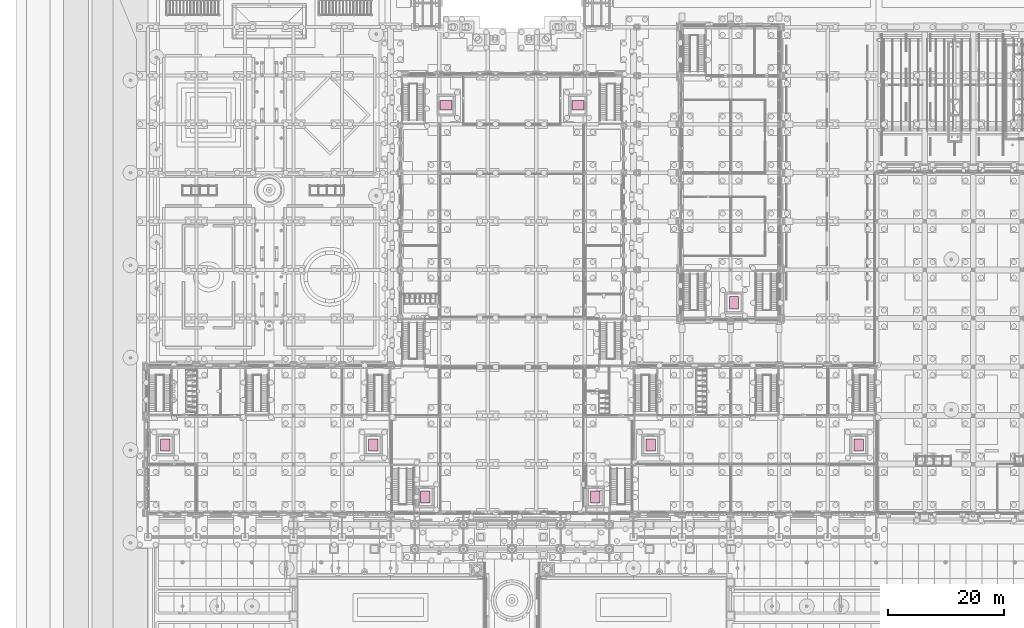
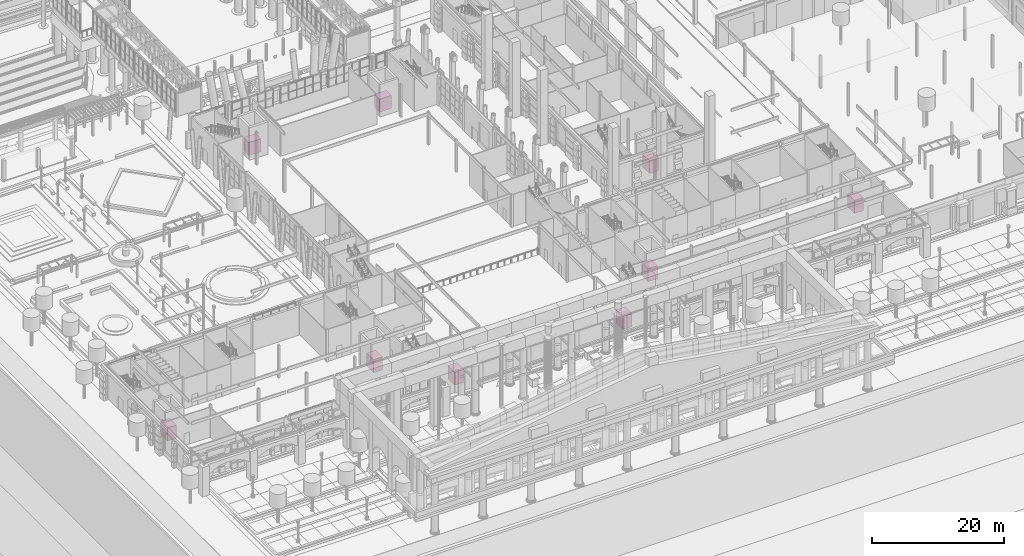
# One storey, part 218 of 222: 9 transport elements.
"""IFC4 building model written with IfcOpenShell, lengths in metres."""

from ifc_helpers import new_model, si_unit, direction, frame, origin, origin_2d, place, context, subcontext, project, spatial, rectangle, extrude, material, type_object, element, save


model = new_model("IFC4")

# Units and contexts
model_context = context("Model", 3, precision=1e-05, world=origin(), true_north=direction((0.0, 1.0)))
body_context = subcontext(model_context, "Body", "Model", "MODEL_VIEW")
ifc_project = project(units=[si_unit("LENGTHUNIT", "METRE"), si_unit("AREAUNIT", "SQUARE_METRE"), si_unit("VOLUMEUNIT", "CUBIC_METRE"), si_unit("PLANEANGLEUNIT", "RADIAN"), si_unit("MASSUNIT", "GRAM", prefix="KILO")], contexts=[model_context])

# Site, building, storey
site_placement = place(None, origin())
site = spatial("IfcSite", under=ifc_project, at=site_placement, CompositionType="ELEMENT")
building_placement = place(site_placement, origin())
building = spatial("IfcBuilding", under=site, at=building_placement, Name="Sava Quay Ferry Terminal", CompositionType="ELEMENT")
storey_placement = place(building_placement, origin())
storey = spatial("IfcBuildingStorey", under=building, at=storey_placement, Name="L00", CompositionType="ELEMENT", Elevation=0.0)

# Transport elements
ifc_material = material(Name="Steel S355", Category="steel")
transport_element_type = type_object("IfcTransportElementType", Name="Lift car 1600x2100", PredefinedType="ELEVATOR", material=ifc_material)
for number, where, z_axis, x_axis, name in (
    (1, (48.0, 27.89990234375, 0.0), (0.0, 0.0, 1.0), (1.0, 0.0, 0.0), "Lift LF-A1"),
    (2, (77.39990234375, 27.89990234375, 0.0), (0.0, 0.0, 1.0), (1.0, 0.0, 0.0), "Lift LF-A2"),
    (3, (3.0, 36.89990234375, 0.0), (0.0, 0.0, 1.0), (1.0, 0.0, 0.0), "Lift LF-W1"),
    (4, (39.0, 36.89990234375, 0.0), (0.0, 0.0, 1.0), (1.0, 0.0, 0.0), "Lift LF-W2"),
    (5, (87.0, 36.89990234375, 0.0), (0.0, 0.0, 1.0), (1.0, 0.0, 0.0), "Lift LF-P1"),
    (6, (123.0, 36.89990234375, 0.0), (0.0, 0.0, 1.0), (1.0, 0.0, 0.0), "Lift LF-P2"),
    (7, (101.39990234375, 61.5, 0.0), (0.0, 0.0, 1.0), (1.0, 0.0, 0.0), "Lift LF-O1"),
):
    element("IfcTransportElement", number, at=place(storey_placement, frame(where, z_axis=z_axis, x_axis=x_axis)), inside=storey, type_object=transport_element_type, Name=name, PredefinedType="ELEVATOR", context=body_context, shape_type="SweptSolid", body=[
        extrude(rectangle(XDim=1.60009765625, YDim=2.10009765625, at=origin_2d()), origin(), (0.0, 0.0, 1.0), 2.39990234375),
    ])
for number, where, z_axis, x_axis, name in (
    (8, (51.60009765625, 95.699951171875, 0.0), (0.0, 0.0, 1.0), (1.0, 0.0, 0.0), "Lift LF-D2"),
    (9, (74.39990234375, 95.699951171875, 0.0), (0.0, 0.0, 1.0), (1.0, 0.0, 0.0), "Lift LF-D3"),
):
    element("IfcTransportElement", number, at=place(storey_placement, frame(where, z_axis=z_axis, x_axis=x_axis)), inside=storey, type_object=transport_element_type, Name=name, PredefinedType="ELEVATOR", context=body_context, shape_type="SweptSolid", body=[
        extrude(rectangle(XDim=2.10009765625, YDim=1.60009765625, at=origin_2d()), origin(), (0.0, 0.0, 1.0), 2.39990234375),
    ])

save(model, "model.ifc")
